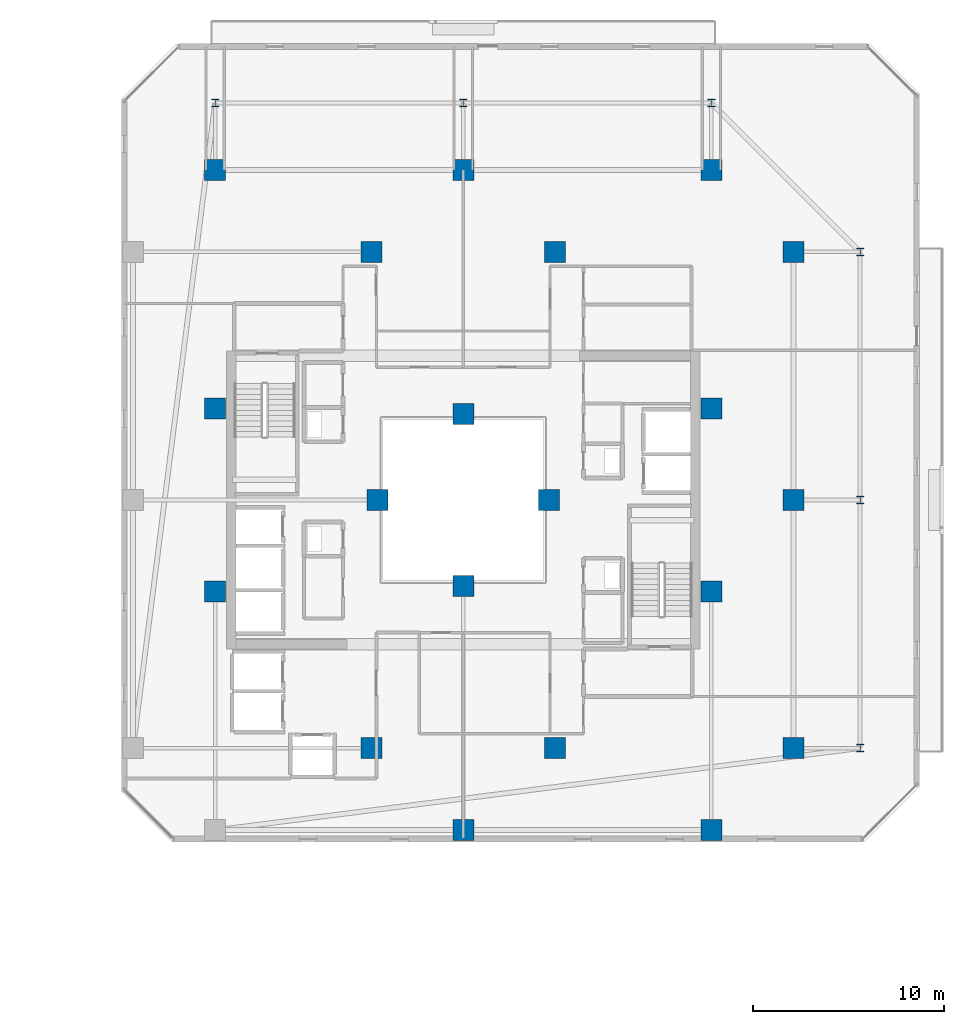
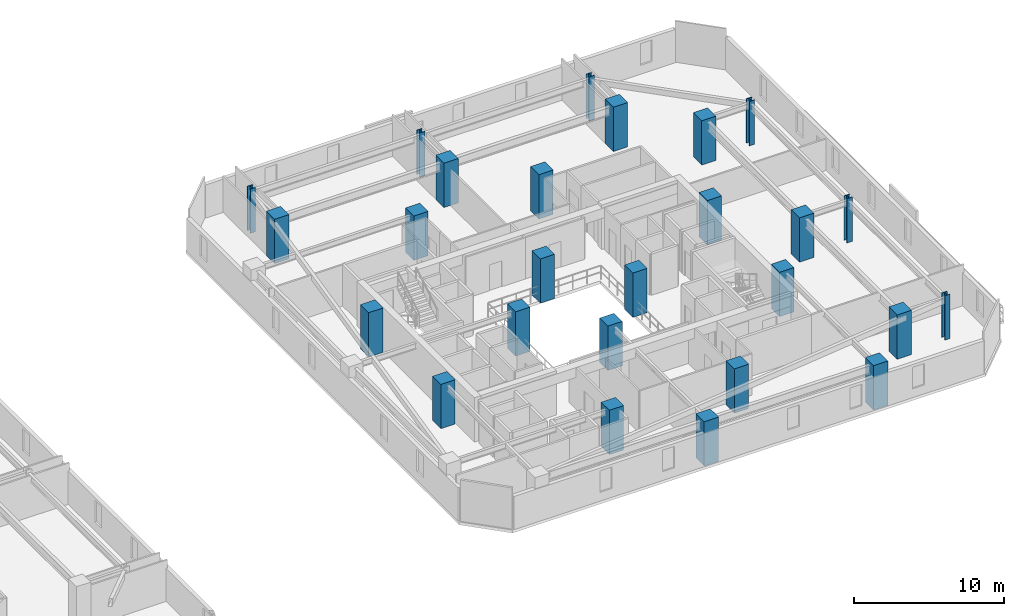
# One storey, part 2 of 33: 26 columns.
"""IFC4 building model written with IfcOpenShell, lengths in metres."""

from ifc_helpers import new_model, si_unit, direction, frame, origin, origin_2d, place, context, subcontext, project, spatial, rectangle, i_section, extrude, material, material_profile, profile_set, type_object, element, save


model = new_model("IFC4")

# Units and contexts
model_context = context("Model", 3, precision=1e-05, world=origin(), true_north=direction((0.0, 1.0)))
body_context = subcontext(model_context, "Body", "Model", "MODEL_VIEW")
ifc_project = project(units=[si_unit("LENGTHUNIT", "METRE"), si_unit("AREAUNIT", "SQUARE_METRE"), si_unit("VOLUMEUNIT", "CUBIC_METRE"), si_unit("PLANEANGLEUNIT", "RADIAN"), si_unit("MASSUNIT", "GRAM", prefix="KILO")], contexts=[model_context])

# Site, building, storey
site_placement = place(None, origin())
site = spatial("IfcSite", under=ifc_project, at=site_placement, CompositionType="ELEMENT")
building_placement = place(site_placement, origin())
building = spatial("IfcBuilding", under=site, at=building_placement, Name="Thornwick Lancets Civic Towers", CompositionType="ELEMENT")
storey_placement = place(building_placement, frame((0.0, 0.0, 167.10009765625)))
storey = spatial("IfcBuildingStorey", under=building, at=storey_placement, Name="L44", CompositionType="ELEMENT", Elevation=167.10009765625)

# Columns
ifc_material_1 = material(Name="Concrete C50/60", Category="concrete")
ifc_material_profile_1 = material_profile(ifc_material_1, rectangle(XDim=1.10009765625, YDim=1.10009765625, at=origin_2d()), Name="RC 1100x1100")
ifc_profile_set_1 = profile_set([ifc_material_profile_1], Name="Concrete C50/60")
column_type_1 = type_object("IfcColumnType", Name="COL_RC_1100", PredefinedType="COLUMN", material=ifc_profile_set_1)
for number, where, z_axis, x_axis, name in (
    (1, (105.800048828125, 14.0, 0.0), (0.0, 0.0, 1.0), (1.0, 0.0, 0.0), "L44 Spine Mega-Column B01"),
    (2, (105.800048828125, 27.0, 0.0), (0.0, 0.0, 1.0), (1.0, 0.0, 0.0), "L44 Spine Mega-Column B02"),
    (3, (105.800048828125, 40.0, 0.0), (0.0, 0.0, 1.0), (1.0, 0.0, 0.0), "L44 Spine Mega-Column B03"),
    (4, (101.5, 44.300048828125, 0.0), (0.0, 0.0, 1.0), (1.0, 0.0, 0.0), "L44 Spine Mega-Column B04"),
    (5, (88.5, 44.300048828125, 0.0), (0.0, 0.0, 1.0), (1.0, 0.0, 0.0), "L44 Spine Mega-Column B05"),
    (6, (75.5, 44.300048828125, 0.0), (0.0, 0.0, 1.0), (1.0, 0.0, 0.0), "L44 Spine Mega-Column B06"),
    (7, (101.5, 9.699951171875, 0.0), (0.0, 0.0, 1.0), (1.0, 0.0, 0.0), "L44 Spine Mega-Column B10"),
    (8, (88.5, 9.699951171875, 0.0), (0.0, 0.0, 1.0), (1.0, 0.0, 0.0), "L44 Spine Mega-Column B11"),
    (9, (93.300048828125, 14.0, 0.0), (0.0, 0.0, 1.0), (1.0, 0.0, 0.0), "L44 Spine Mega-Column B13"),
    (10, (93.300048828125, 40.0, 0.0), (0.0, 0.0, 1.0), (1.0, 0.0, 0.0), "L44 Spine Mega-Column B14"),
    (11, (83.699951171875, 14.0, 0.0), (0.0, 0.0, 1.0), (1.0, 0.0, 0.0), "L44 Spine Mega-Column B15"),
    (12, (83.699951171875, 40.0, 0.0), (0.0, 0.0, 1.0), (1.0, 0.0, 0.0), "L44 Spine Mega-Column B16"),
    (13, (101.5, 22.199951171875, 0.0), (0.0, 0.0, 1.0), (1.0, 0.0, 0.0), "L44 Spine Mega-Column B17"),
    (14, (101.5, 31.800048828125, 0.0), (0.0, 0.0, 1.0), (1.0, 0.0, 0.0), "L44 Spine Mega-Column B18"),
    (15, (75.5, 22.199951171875, 0.0), (0.0, 0.0, 1.0), (1.0, 0.0, 0.0), "L44 Spine Mega-Column B19"),
    (16, (75.5, 31.800048828125, 0.0), (0.0, 0.0, 1.0), (1.0, 0.0, 0.0), "L44 Spine Mega-Column B20"),
    (17, (93.0, 27.0, 0.0), (0.0, 0.0, 1.0), (1.0, 0.0, 0.0), "L44 Spine Mega-Column B21"),
    (18, (84.0, 27.0, 0.0), (0.0, 0.0, 1.0), (1.0, 0.0, 0.0), "L44 Spine Mega-Column B22"),
    (19, (88.5, 22.5, 0.0), (0.0, 0.0, 1.0), (1.0, 0.0, 0.0), "L44 Spine Mega-Column B23"),
    (20, (88.5, 31.5, 0.0), (0.0, 0.0, 1.0), (1.0, 0.0, 0.0), "L44 Spine Mega-Column B24"),
):
    element("IfcColumn", number, at=place(storey_placement, frame(where, z_axis=z_axis, x_axis=x_axis)), inside=storey, type_object=column_type_1, Name=name, PredefinedType="COLUMN", context=body_context, shape_type="SweptSolid", body=[
        extrude(rectangle(XDim=1.10009765625, YDim=1.10009765625, at=origin_2d()), origin(), (0.0, 0.0, 1.0), 3.599853515625),
    ])
ifc_material_2 = material(Name="Steel S460M", Category="steel")
ifc_material_profile_2 = material_profile(ifc_material_2, i_section(OverallWidth=0.406982421875, OverallDepth=0.4189453125, WebThickness=0.030517578125, FlangeThickness=0.04931640625, FilletRadius=0.01513671875, at=origin_2d()), Name="UKC 356x406x393")
ifc_profile_set_2 = profile_set([ifc_material_profile_2], Name="Steel S460M")
column_type_2 = type_object("IfcColumnType", Name="COL_UKC_393", PredefinedType="COLUMN", material=ifc_profile_set_2)
for number, where, z_axis, x_axis, name in (
    (21, (109.300048828125, 14.0, 0.0), (0.0, 0.0, 1.0), (1.0, 0.0, 0.0), "L44 Block Perimeter Column B01"),
    (22, (109.300048828125, 27.0, 0.0), (0.0, 0.0, 1.0), (1.0, 0.0, 0.0), "L44 Block Perimeter Column B02"),
    (23, (109.300048828125, 40.0, 0.0), (0.0, 0.0, 1.0), (1.0, 0.0, 0.0), "L44 Block Perimeter Column B03"),
    (24, (101.5, 47.800048828125, 0.0), (0.0, 0.0, 1.0), (1.0, 0.0, 0.0), "L44 Block Perimeter Column B04"),
    (25, (88.5, 47.800048828125, 0.0), (0.0, 0.0, 1.0), (1.0, 0.0, 0.0), "L44 Block Perimeter Column B05"),
    (26, (75.5, 47.800048828125, 0.0), (0.0, 0.0, 1.0), (1.0, 0.0, 0.0), "L44 Block Perimeter Column B06"),
):
    element("IfcColumn", number, at=place(storey_placement, frame(where, z_axis=z_axis, x_axis=x_axis)), inside=storey, type_object=column_type_2, Name=name, PredefinedType="COLUMN", context=body_context, shape_type="SweptSolid", body=[
        extrude(i_section(OverallWidth=0.406982421875, OverallDepth=0.4189453125, WebThickness=0.030517578125, FlangeThickness=0.04931640625, FilletRadius=0.01513671875, at=origin_2d()), origin(), (0.0, 0.0, 1.0), 3.599853515625),
    ])

save(model, "model.ifc")
